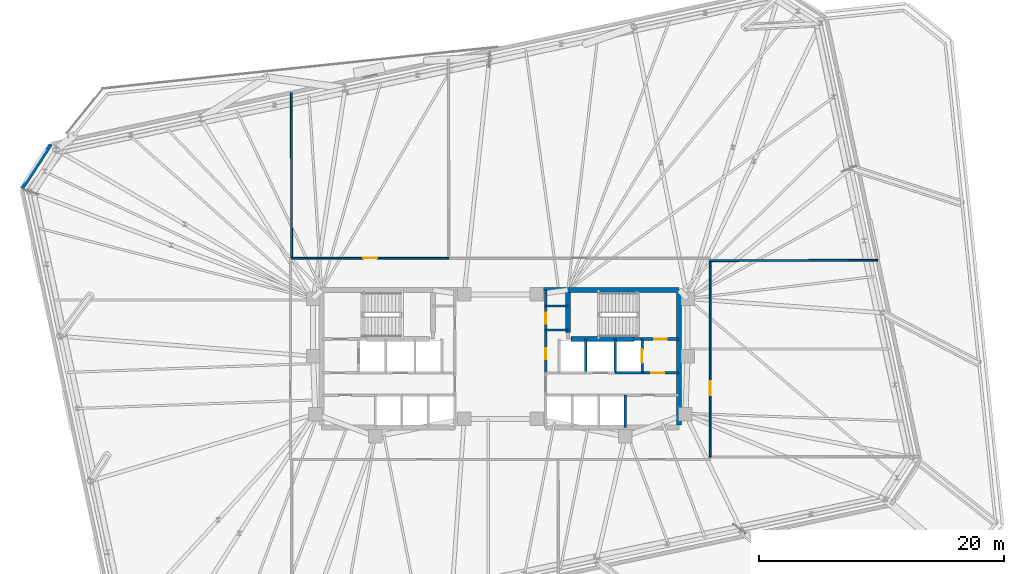
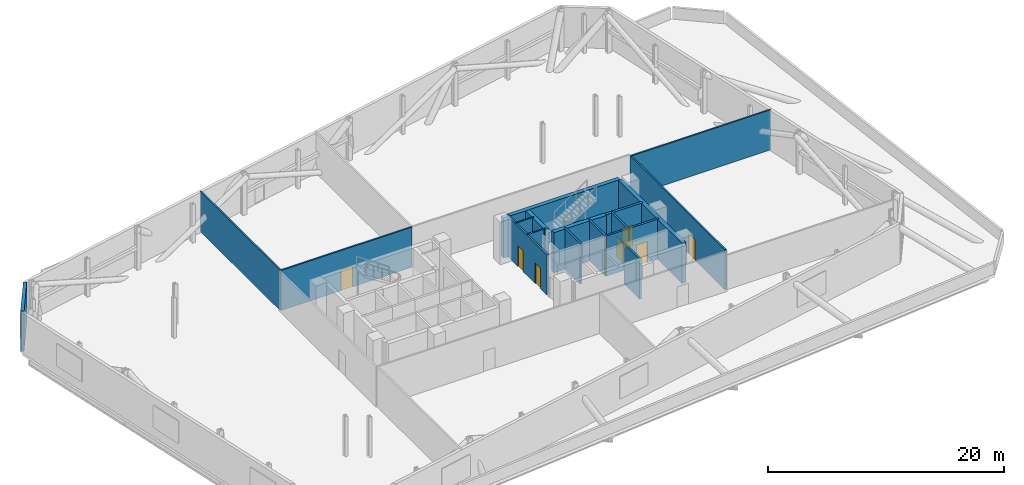
# One storey, part 15 of 19: 19 walls, 7 doors, 7 openings.
"""IFC4 building model written with IfcOpenShell, lengths in metres."""

from ifc_helpers import new_model, si_unit, direction, frame, frame_2d, origin, place, context, subcontext, project, spatial, rectangle, extrude, material, layer, layer_set, type_object, element, fill, save


model = new_model("IFC4")

# Units and contexts
model_context = context("Model", 3, precision=1e-05, world=origin(), true_north=direction((0.0, 1.0)))
body_context = subcontext(model_context, "Body", "Model", "MODEL_VIEW")
ifc_project = project(units=[si_unit("LENGTHUNIT", "METRE"), si_unit("AREAUNIT", "SQUARE_METRE"), si_unit("VOLUMEUNIT", "CUBIC_METRE"), si_unit("PLANEANGLEUNIT", "RADIAN"), si_unit("MASSUNIT", "GRAM", prefix="KILO")], contexts=[model_context])

# Site, building, storey
site_placement = place(None, origin())
site = spatial("IfcSite", under=ifc_project, at=site_placement, CompositionType="ELEMENT")
building_placement = place(site_placement, origin())
building = spatial("IfcBuilding", under=site, at=building_placement, Name="Menara Jurai Vektor", CompositionType="ELEMENT")
storey_placement = place(building_placement, frame((0.0, 0.0, 142.89990234375)))
storey = spatial("IfcBuildingStorey", under=building, at=storey_placement, Name="L36", CompositionType="ELEMENT", Elevation=142.89990234375)

# Wall
ifc_material_1 = material(Name="Insulated Pale Aluminium Spandrel Wall", Category="aluminium")
ifc_layer_1 = layer(ifc_material_1, 0.300048828125)
ifc_layer_set_1 = layer_set([ifc_layer_1], Name="Insulated Pale Aluminium Spandrel Wall")
wall_type_1 = type_object("IfcWallType", Name="ENV-WALL-EXT300", PredefinedType="STANDARD", material=ifc_layer_set_1)
wall_1_placement = place(storey_placement, frame((-36.63037109375, 17.471923828125, 0.0), z_axis=(0.0, 0.0, 1.0), x_axis=(-0.544622582474, -0.838681252121, 0.0)))
element("IfcWall", 1, at=wall_1_placement, inside=storey, type_object=wall_type_1, Name="Plant Floor Enclosure Wall L36-06", PredefinedType="STANDARD", context=body_context, shape_type="SweptSolid", body=[
    extrude(rectangle(XDim=4.2939453125, YDim=0.300048828125, at=frame_2d((2.14697265625, 0.0))), origin(), (0.0, 0.0, 1.0), 4.150146484375),
])

# Wall, opening, door
ifc_material_2 = material(Name="Concrete C40/50", Category="concrete")
ifc_layer_2 = layer(ifc_material_2, 0.25)
ifc_layer_set_2 = layer_set([ifc_layer_2], Name="Concrete C40/50")
wall_type_2 = type_object("IfcWallType", Name="INT-WALL-CORE-250", PredefinedType="STANDARD", material=ifc_layer_set_2)
wall_2_placement = place(storey_placement, frame((10.89990234375, 1.60009765625, 0.0), z_axis=(0.0, 0.0, 1.0), x_axis=(1.0, 0.0, 0.0)))
wall_2 = element("IfcWall", 2, at=wall_2_placement, inside=storey, type_object=wall_type_2, Name="Interior Wall IW-250 L36", PredefinedType="STANDARD", context=body_context, shape_type="SweptSolid", body=[
    extrude(rectangle(XDim=3.60009765625, YDim=0.25, at=frame_2d((1.800048828125, 0.0))), origin(), (0.0, 0.0, 1.0), 4.150146484375),
])
opening_1_placement = place(wall_2_placement, frame((1.6201171875, 0.0, 0.0)))
opening_1 = element("IfcOpeningElement", 3, at=opening_1_placement, cuts=wall_2, Name="Opening D-L36-ST2", PredefinedType="OPENING", context=body_context, shape_type="SweptSolid", body=[
    extrude(rectangle(XDim=1.050048828125, YDim=2.14990234375, at=frame_2d((0.52490234375, 1.074951171875))), frame((0.0, 0.135009765625, 0.0), z_axis=(0.0, -1.0, 0.0), x_axis=(1.0, 0.0, 0.0)), (0.0, 0.0, 1.0), 0.27001953125),
])
ifc_material_3 = material(Name="Fire-Rated Steel Door", Category="steel")
door_type_1 = type_object("IfcDoorType", Name="DR-STAIR-1050", OperationType="NOTDEFINED", PredefinedType="DOOR", material=ifc_material_3)
door_1_placement = place(opening_1_placement, origin())
door_1 = element("IfcDoor", 4, at=door_1_placement, inside=storey, type_object=door_type_1, Name="Exit Stair ST2 Door L36", OperationType="SINGLE_SWING_LEFT", OverallHeight=2.14990234375, OverallWidth=1.050048828125, PredefinedType="DOOR", context=body_context, shape_type="SweptSolid", body=[
    extrude(rectangle(XDim=1.050048828125, YDim=2.14990234375, at=frame_2d((0.52490234375, 1.074951171875))), frame((0.0, 0.02490234375, 0.0), z_axis=(0.0, -1.0, 0.0), x_axis=(1.0, 0.0, 0.0)), (0.0, 0.0, 1.0), 0.050048828125),
])
fill(opening_1, door_1)

wall_3_placement = place(storey_placement, frame((11.550048828125, -1.14990234375, 0.0), z_axis=(0.0, 0.0, 1.0), x_axis=(0.0, 1.0, 0.0)))
wall_3 = element("IfcWall", 5, at=wall_3_placement, inside=storey, type_object=wall_type_2, Name="Interior Wall IW-250 L36", PredefinedType="STANDARD", context=body_context, shape_type="SweptSolid", body=[
    extrude(rectangle(XDim=2.75, YDim=0.199951171875, at=frame_2d((1.375, 0.0))), origin(), (0.0, 0.0, 1.0), 4.150146484375),
])
opening_2_placement = place(wall_3_placement, frame((0.824951171875, 0.0, 0.0)))
opening_2 = element("IfcOpeningElement", 6, at=opening_2_placement, cuts=wall_3, Name="Opening LD-L36-FL2", PredefinedType="OPENING", context=body_context, shape_type="SweptSolid", body=[
    extrude(rectangle(XDim=1.10009765625, YDim=2.14990234375, at=frame_2d((0.550048828125, 1.074951171875))), frame((0.0, 0.10986328125, 0.0), z_axis=(0.0, -1.0, 0.0), x_axis=(1.0, 0.0, 0.0)), (0.0, 0.0, 1.0), 0.219970703125),
])
ifc_material_4 = material(Name="Stainless Steel Sliding Lift Landing Door", Category="steel")
door_type_2 = type_object("IfcDoorType", Name="DR-LIFT-FIRE-1100", OperationType="NOTDEFINED", PredefinedType="DOOR", material=ifc_material_4)
door_2_placement = place(opening_2_placement, origin())
door_2 = element("IfcDoor", 7, at=door_2_placement, inside=storey, type_object=door_type_2, Name="Lift Landing Door FL2 L36", OperationType="SLIDING_TO_RIGHT", OverallHeight=2.14990234375, OverallWidth=1.10009765625, PredefinedType="DOOR", context=body_context, shape_type="SweptSolid", body=[
    extrude(rectangle(XDim=1.10009765625, YDim=2.14990234375, at=frame_2d((0.550048828125, 1.074951171875))), frame((0.0, 0.02490234375, 0.0), z_axis=(0.0, -1.0, 0.0), x_axis=(1.0, 0.0, 0.0)), (0.0, 0.0, 1.0), 0.050048828125),
])
fill(opening_2, door_2)

# Wall
wall_4_placement = place(storey_placement, frame((9.35009765625, -1.14990234375, 0.0), z_axis=(0.0, 0.0, 1.0), x_axis=(0.0, 1.0, 0.0)))
element("IfcWall", 8, at=wall_4_placement, inside=storey, type_object=wall_type_2, Name="Interior Wall IW-250 L36", PredefinedType="STANDARD", context=body_context, shape_type="SweptSolid", body=[
    extrude(rectangle(XDim=2.75, YDim=0.199951171875, at=frame_2d((1.375, 0.0))), origin(), (0.0, 0.0, 1.0), 4.150146484375),
])

# Wall, opening, door
wall_5_placement = place(storey_placement, frame((11.550048828125, -1.14990234375, 0.0), z_axis=(0.0, 0.0, 1.0), x_axis=(1.0, 0.0, 0.0)))
wall_5 = element("IfcWall", 9, at=wall_5_placement, inside=storey, type_object=wall_type_2, Name="Interior Wall IW-250 L36", PredefinedType="STANDARD", context=body_context, shape_type="SweptSolid", body=[
    extrude(rectangle(XDim=2.949951171875, YDim=0.199951171875, at=frame_2d((1.47509765625, 0.0))), origin(), (0.0, 0.0, 1.0), 4.150146484375),
])
opening_3_placement = place(wall_5_placement, frame((0.75, 0.0, 0.0)))
opening_3 = element("IfcOpeningElement", 10, at=opening_3_placement, cuts=wall_5, Name="Opening D-L36-FFE", PredefinedType="OPENING", context=body_context, shape_type="SweptSolid", body=[
    extrude(rectangle(XDim=1.050048828125, YDim=2.179931640625, at=frame_2d((0.52490234375, 1.08984375))), frame((0.0, 0.10986328125, 0.0), z_axis=(0.0, -1.0, 0.0), x_axis=(1.0, 0.0, 0.0)), (0.0, 0.0, 1.0), 0.219970703125),
])
ifc_material_5 = material(Name="Fire-Rated Timber Door", Category="wood")
door_type_3 = type_object("IfcDoorType", Name="DR-LOBBY-1050", OperationType="NOTDEFINED", PredefinedType="DOOR", material=ifc_material_5)
door_3_placement = place(opening_3_placement, origin())
door_3 = element("IfcDoor", 11, at=door_3_placement, inside=storey, type_object=door_type_3, Name="Fire Lift Lobby Door E L36", OperationType="SINGLE_SWING_LEFT", OverallHeight=2.179931640625, OverallWidth=1.050048828125, PredefinedType="DOOR", context=body_context, shape_type="SweptSolid", body=[
    extrude(rectangle(XDim=1.050048828125, YDim=2.179931640625, at=frame_2d((0.52490234375, 1.08984375))), frame((0.0, 0.02490234375, 0.0), z_axis=(0.0, -1.0, 0.0), x_axis=(1.0, 0.0, 0.0)), (0.0, 0.0, 1.0), 0.050048828125),
])
fill(opening_3, door_3)

# Walls
wall_6_placement = place(storey_placement, frame((9.35009765625, -1.14990234375, 0.0), z_axis=(0.0, 0.0, 1.0), x_axis=(1.0, 0.0, 0.0)))
element("IfcWall", 12, at=wall_6_placement, inside=storey, type_object=wall_type_2, Name="Interior Wall IW-250 L36", PredefinedType="STANDARD", context=body_context, shape_type="SweptSolid", body=[
    extrude(rectangle(XDim=2.199951171875, YDim=0.199951171875, at=frame_2d((1.10009765625, 0.0))), origin(), (0.0, 0.0, 1.0), 4.150146484375),
])
ifc_material_6 = material(Name="Gypsum Fireboard Partition", Category="gypsum")
ifc_layer_3 = layer(ifc_material_6, 0.14990234375)
ifc_layer_set_3 = layer_set([ifc_layer_3], Name="Gypsum Fireboard Partition")
wall_type_3 = type_object("IfcWallType", Name="INT-WALL-CORR-150", PredefinedType="PARTITIONING", material=ifc_layer_set_3)
for number, where, z_axis, x_axis, name in (
    (13, (3.699951171875, 4.300048828125, 0.0), (0.0, 0.0, 1.0), (1.0, 0.0, 0.0), "Interior Wall IW-150 L36"),
    (14, (3.699951171875, 2.35009765625, 0.0), (0.0, 0.0, 1.0), (1.0, 0.0, 0.0), "Interior Wall IW-150 L36"),
):
    element("IfcWall", number, at=place(storey_placement, frame(where, z_axis=z_axis, x_axis=x_axis)), inside=storey, type_object=wall_type_3, Name=name, PredefinedType="PARTITIONING", context=body_context, shape_type="SweptSolid", body=[
        extrude(rectangle(XDim=1.800048828125, YDim=0.14990234375, at=frame_2d((0.89990234375, 0.0))), origin(), (0.0, 0.0, 1.0), 4.150146484375),
    ])

# Wall, opening, door
wall_7_placement = place(storey_placement, frame((-17.0, 8.199951171875, 0.0), z_axis=(0.0, 0.0, 1.0), x_axis=(1.0, 0.0, 0.0)))
wall_7 = element("IfcWall", 15, at=wall_7_placement, inside=storey, type_object=wall_type_3, Name="Interior Wall IW-150 L36", PredefinedType="PARTITIONING", context=body_context, shape_type="SweptSolid", body=[
    extrude(rectangle(XDim=12.800048828125, YDim=0.14990234375, at=frame_2d((6.39990234375, 0.0))), origin(), (0.0, 0.0, 1.0), 4.150146484375),
])
opening_4_placement = place(wall_7_placement, frame((5.824951171875, 0.0, 0.0)))
opening_4 = element("IfcOpeningElement", 16, at=opening_4_placement, cuts=wall_7, Name="Opening D36-06", PredefinedType="OPENING", context=body_context, shape_type="SweptSolid", body=[
    extrude(rectangle(XDim=1.14990234375, YDim=2.14990234375, at=frame_2d((0.574951171875, 1.074951171875))), frame((0.0, 0.0849609375, 0.0), z_axis=(0.0, -1.0, 0.0), x_axis=(1.0, 0.0, 0.0)), (0.0, 0.0, 1.0), 0.169921875),
])
ifc_material_7 = material(Name="Fire-Rated Steel Plant Door", Category="steel")
door_type_4 = type_object("IfcDoorType", Name="DR-PLANT-1150", OperationType="NOTDEFINED", PredefinedType="DOOR", material=ifc_material_7)
door_4_placement = place(opening_4_placement, origin())
door_4 = element("IfcDoor", 17, at=door_4_placement, inside=storey, type_object=door_type_4, Name="Interior Door D36-06", OperationType="SINGLE_SWING_LEFT", OverallHeight=2.14990234375, OverallWidth=1.14990234375, PredefinedType="DOOR", context=body_context, shape_type="SweptSolid", body=[
    extrude(rectangle(XDim=1.14990234375, YDim=2.14990234375, at=frame_2d((0.574951171875, 1.074951171875))), frame((0.0, 0.02490234375, 0.0), z_axis=(0.0, -1.0, 0.0), x_axis=(1.0, 0.0, 0.0)), (0.0, 0.0, 1.0), 0.050048828125),
])
fill(opening_4, door_4)

wall_8_placement = place(storey_placement, frame((17.10009765625, -8.0, 0.0), z_axis=(0.0, 0.0, 1.0), x_axis=(0.0, 1.0, 0.0)))
wall_8 = element("IfcWall", 18, at=wall_8_placement, inside=storey, type_object=wall_type_3, Name="Interior Wall IW-150 L36", PredefinedType="PARTITIONING", context=body_context, shape_type="SweptSolid", body=[
    extrude(rectangle(XDim=16.0, YDim=0.14990234375, at=frame_2d((8.0, 0.0))), origin(), (0.0, 0.0, 1.0), 4.150146484375),
])
opening_5_placement = place(wall_8_placement, frame((5.02490234375, 0.0, 0.0)))
opening_5 = element("IfcOpeningElement", 19, at=opening_5_placement, cuts=wall_8, Name="Opening D36-11", PredefinedType="OPENING", context=body_context, shape_type="SweptSolid", body=[
    extrude(rectangle(XDim=1.14990234375, YDim=2.14990234375, at=frame_2d((0.574951171875, 1.074951171875))), frame((0.0, 0.0849609375, 0.0), z_axis=(0.0, -1.0, 0.0), x_axis=(1.0, 0.0, 0.0)), (0.0, 0.0, 1.0), 0.169921875),
])
door_5_placement = place(opening_5_placement, origin())
door_5 = element("IfcDoor", 20, at=door_5_placement, inside=storey, type_object=door_type_4, Name="Interior Door D36-11", OperationType="SINGLE_SWING_RIGHT", OverallHeight=2.14990234375, OverallWidth=1.14990234375, PredefinedType="DOOR", context=body_context, shape_type="SweptSolid", body=[
    extrude(rectangle(XDim=1.14990234375, YDim=2.14990234375, at=frame_2d((0.574951171875, 1.074951171875))), frame((0.0, 0.02490234375, 0.0), z_axis=(0.0, -1.0, 0.0), x_axis=(1.0, 0.0, 0.0)), (0.0, 0.0, 1.0), 0.050048828125),
])
fill(opening_5, door_5)

# Walls
wall_9_placement = place(storey_placement, frame((-17.0, 8.199951171875, 0.0), z_axis=(0.0, 0.0, 1.0), x_axis=(-0.002301761007, 0.999997350945, 0.0)))
element("IfcWall", 21, at=wall_9_placement, inside=storey, type_object=wall_type_3, Name="Interior Wall IW-150 L36", PredefinedType="PARTITIONING", context=body_context, shape_type="SweptSolid", body=[
    extrude(rectangle(XDim=13.470458984375, YDim=0.14990234375, at=frame_2d((6.7353515625, 0.0))), origin(), (0.0, 0.0, 1.0), 4.150146484375),
])
wall_10_placement = place(storey_placement, frame((17.10009765625, 8.0, 0.0), z_axis=(0.0, 0.0, 1.0), x_axis=(0.999997415053, 0.00227373864, 0.0)))
element("IfcWall", 22, at=wall_10_placement, inside=storey, type_object=wall_type_3, Name="Interior Wall IW-150 L36", PredefinedType="PARTITIONING", context=body_context, shape_type="SweptSolid", body=[
    extrude(rectangle(XDim=13.636474609375, YDim=0.14990234375, at=frame_2d((6.818359375, 0.0))), origin(), (0.0, 0.0, 1.0), 4.150146484375),
])

# Wall, openings, doors
ifc_layer_4 = layer(ifc_material_2, 0.199951171875)
ifc_layer_set_4 = layer_set([ifc_layer_4], Name="Concrete C40/50")
wall_type_4 = type_object("IfcWallType", Name="INT-WALL-SHAFT-200", PredefinedType="STANDARD", material=ifc_layer_set_4)
wall_11_placement = place(storey_placement, frame((3.699951171875, -1.14990234375, 0.0), z_axis=(0.0, 0.0, 1.0), x_axis=(0.0, 1.0, 0.0)))
wall_11 = element("IfcWall", 23, at=wall_11_placement, inside=storey, type_object=wall_type_4, Name="Interior Wall IW-200 L36", PredefinedType="STANDARD", context=body_context, shape_type="SweptSolid", body=[
    extrude(rectangle(XDim=6.75, YDim=0.199951171875, at=frame_2d((3.375, 0.0))), origin(), (0.0, 0.0, 1.0), 4.150146484375),
])
opening_6_placement = place(wall_11_placement, frame((1.10009765625, 0.0, 0.0)))
opening_6 = element("IfcOpeningElement", 24, at=opening_6_placement, cuts=wall_11, Name="Opening D36-04", PredefinedType="OPENING", context=body_context, shape_type="SweptSolid", body=[
    extrude(rectangle(XDim=0.89990234375, YDim=2.14990234375, at=frame_2d((0.449951171875, 1.074951171875))), frame((0.0, 0.10986328125, 0.0), z_axis=(0.0, -1.0, 0.0), x_axis=(1.0, 0.0, 0.0)), (0.0, 0.0, 1.0), 0.219970703125),
])
opening_7_placement = place(wall_11_placement, frame((4.0, 0.0, 0.0)))
opening_7 = element("IfcOpeningElement", 25, at=opening_7_placement, cuts=wall_11, Name="Opening D36-05", PredefinedType="OPENING", context=body_context, shape_type="SweptSolid", body=[
    extrude(rectangle(XDim=0.919921875, YDim=2.14990234375, at=frame_2d((0.4599609375, 1.074951171875))), frame((0.0, 0.10986328125, 0.0), z_axis=(0.0, -1.0, 0.0), x_axis=(1.0, 0.0, 0.0)), (0.0, 0.0, 1.0), 0.219970703125),
])
ifc_material_8 = material(Name="Solid Core Timber Fire Door", Category="wood")
door_type_5 = type_object("IfcDoorType", Name="DR-ENTRY-950", OperationType="NOTDEFINED", PredefinedType="DOOR", material=ifc_material_8)
door_6_placement = place(opening_6_placement, origin())
door_6 = element("IfcDoor", 26, at=door_6_placement, inside=storey, type_object=door_type_5, Name="Interior Door D36-04", OperationType="SINGLE_SWING_RIGHT", OverallHeight=2.14990234375, OverallWidth=0.89990234375, PredefinedType="DOOR", context=body_context, shape_type="SweptSolid", body=[
    extrude(rectangle(XDim=0.89990234375, YDim=2.14990234375, at=frame_2d((0.449951171875, 1.074951171875))), frame((0.0, 0.02490234375, 0.0), z_axis=(0.0, -1.0, 0.0), x_axis=(1.0, 0.0, 0.0)), (0.0, 0.0, 1.0), 0.050048828125),
])
fill(opening_6, door_6)
door_7_placement = place(opening_7_placement, origin())
door_7 = element("IfcDoor", 27, at=door_7_placement, inside=storey, type_object=door_type_5, Name="Interior Door D36-05", OperationType="SINGLE_SWING_RIGHT", OverallHeight=2.14990234375, OverallWidth=0.919921875, PredefinedType="DOOR", context=body_context, shape_type="SweptSolid", body=[
    extrude(rectangle(XDim=0.919921875, YDim=2.14990234375, at=frame_2d((0.4599609375, 1.074951171875))), frame((0.0, 0.02490234375, 0.0), z_axis=(0.0, -1.0, 0.0), x_axis=(1.0, 0.0, 0.0)), (0.0, 0.0, 1.0), 0.050048828125),
])
fill(opening_7, door_7)

# Walls
wall_12_placement = place(storey_placement, frame((6.949951171875, -1.14990234375, 0.0), z_axis=(0.0, 0.0, 1.0), x_axis=(0.0, 1.0, 0.0)))
element("IfcWall", 28, at=wall_12_placement, inside=storey, type_object=wall_type_4, Name="Interior Wall IW-200 L36", PredefinedType="STANDARD", context=body_context, shape_type="SweptSolid", body=[
    extrude(rectangle(XDim=2.75, YDim=0.199951171875, at=frame_2d((1.375, 0.0))), origin(), (0.0, 0.0, 1.0), 4.150146484375),
])
wall_13_placement = place(storey_placement, frame((10.179931640625, -5.60009765625, 0.0), z_axis=(0.0, 0.0, 1.0), x_axis=(0.0, 1.0, 0.0)))
element("IfcWall", 29, at=wall_13_placement, inside=storey, type_object=wall_type_4, Name="Interior Wall IW-200 L36", PredefinedType="STANDARD", context=body_context, shape_type="SweptSolid", body=[
    extrude(rectangle(XDim=2.650146484375, YDim=0.179931640625, at=frame_2d((1.3251953125, 0.0))), origin(), (0.0, 0.0, 1.0), 4.150146484375),
])
ifc_material_9 = material(Name="Concrete C50/60", Category="concrete")
ifc_layer_5 = layer(ifc_material_9, 0.39990234375)
ifc_layer_set_5 = layer_set([ifc_layer_5], Name="Concrete C50/60")
wall_type_5 = type_object("IfcWallType", Name="STR-WALL-CORE400", PredefinedType="SHEAR", material=ifc_layer_set_5)
wall_14_placement = place(storey_placement, frame((3.14990234375, 5.60009765625, 0.0), z_axis=(0.0, 0.0, 1.0), x_axis=(1.0, 0.0, 0.0)))
element("IfcWall", 30, at=wall_14_placement, inside=storey, type_object=wall_type_5, Name="Core Shear Wall CW-E-N L36", PredefinedType="SHEAR", context=body_context, shape_type="SweptSolid", body=[
    extrude(rectangle(XDim=11.41015625, YDim=0.39990234375, at=frame_2d((5.705078125, 0.0))), origin(), (0.0, 0.0, 1.0), 4.150146484375),
])
wall_15_placement = place(storey_placement, frame((14.56005859375, -5.39990234375, 0.0), z_axis=(0.0, 0.0, 1.0), x_axis=(0.0, 1.0, 0.0)))
element("IfcWall", 31, at=wall_15_placement, inside=storey, type_object=wall_type_5, Name="Core Shear Wall CW-E-E L36", PredefinedType="SHEAR", context=body_context, shape_type="SweptSolid", body=[
    extrude(rectangle(XDim=10.7998046875, YDim=0.39990234375, at=frame_2d((5.39990234375, 0.0))), origin(), (0.0, 0.0, 1.0), 4.150146484375),
])
wall_16_placement = place(storey_placement, frame((5.5, 2.14990234375, 0.0), z_axis=(0.0, 0.0, 1.0), x_axis=(0.0, 1.0, 0.0)))
element("IfcWall", 32, at=wall_16_placement, inside=storey, type_object=wall_type_5, Name="Core Shear Wall CW-E-ST L36", PredefinedType="SHEAR", context=body_context, shape_type="SweptSolid", body=[
    extrude(rectangle(XDim=3.25, YDim=0.39990234375, at=frame_2d((1.625, 0.0))), origin(), (0.0, 0.0, 1.0), 4.150146484375),
])
wall_17_placement = place(storey_placement, frame((5.75, 1.60009765625, 0.0), z_axis=(0.0, 0.0, 1.0), x_axis=(1.0, 0.0, 0.0)))
element("IfcWall", 33, at=wall_17_placement, inside=storey, type_object=wall_type_5, Name="Core Shear Wall CW-E-STS L36", PredefinedType="SHEAR", context=body_context, shape_type="SweptSolid", body=[
    extrude(rectangle(XDim=5.14990234375, YDim=0.39990234375, at=frame_2d((2.574951171875, 0.0))), origin(), (0.0, 0.0, 1.0), 4.150146484375),
])

save(model, "model.ifc")
